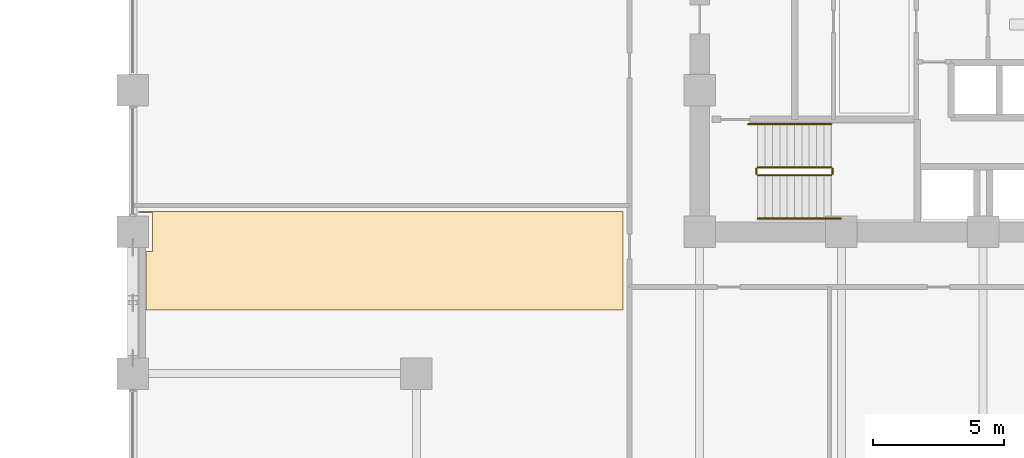
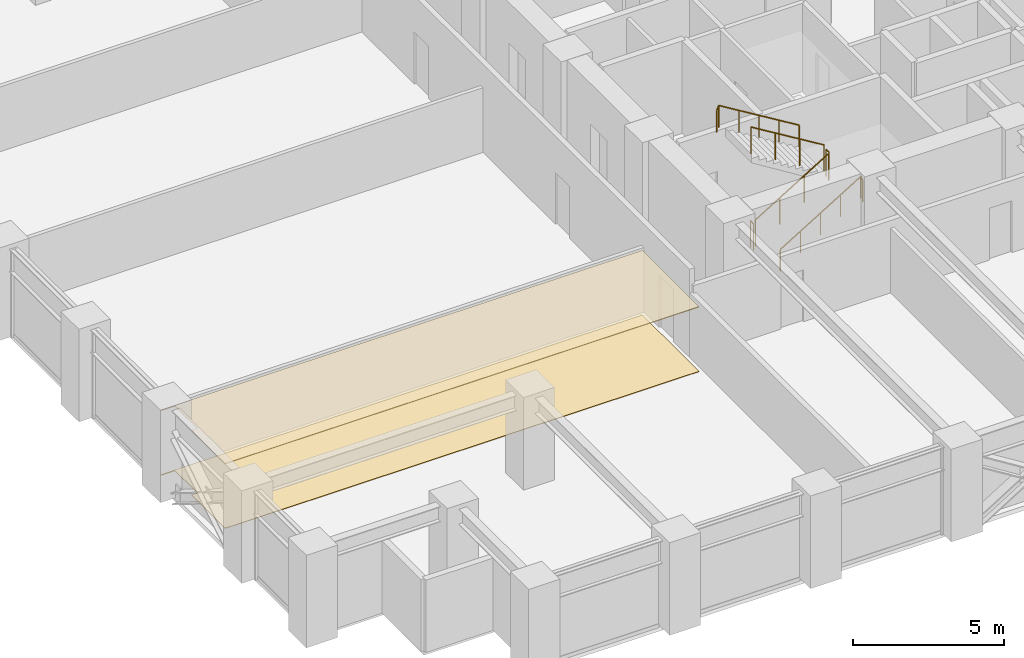
# One storey, part 24 of 26: 6 railings, 2 coverings.
"""IFC4 building model written with IfcOpenShell, lengths in metres."""

from ifc_helpers import new_model, si_unit, direction, frame, origin, origin_2d, place, context, subcontext, project, spatial, polyline, circle, outline, extrude, material, layer, layer_set, type_object, element, save


model = new_model("IFC4")

# Units and contexts
model_context = context("Model", 3, precision=1e-05, world=origin(), true_north=direction((0.0, 1.0)))
body_context = subcontext(model_context, "Body", "Model", "MODEL_VIEW")
ifc_project = project(units=[si_unit("LENGTHUNIT", "METRE"), si_unit("AREAUNIT", "SQUARE_METRE"), si_unit("VOLUMEUNIT", "CUBIC_METRE"), si_unit("PLANEANGLEUNIT", "RADIAN"), si_unit("MASSUNIT", "GRAM", prefix="KILO")], contexts=[model_context])

# Site, building, storey
site_placement = place(None, origin())
site = spatial("IfcSite", under=ifc_project, at=site_placement, CompositionType="ELEMENT")
building_placement = place(site_placement, origin())
building = spatial("IfcBuilding", under=site, at=building_placement, Name="Surkhivell Harbour Commons", CompositionType="ELEMENT")
storey_placement = place(building_placement, frame((0.0, 0.0, 71.25)))
storey = spatial("IfcBuildingStorey", under=building, at=storey_placement, Name="L18", CompositionType="ELEMENT", Elevation=71.25)

# Coverings
ifc_material_1 = material(Name="Moisture-resistant gypsum acoustic ceiling board", Category="other")
ifc_layer_1 = layer(ifc_material_1, 0.030029296875)
ifc_layer_set_1 = layer_set([ifc_layer_1], Name="Moisture-resistant gypsum acoustic ceiling board")
covering_type_1 = type_object("IfcCoveringType", Name="COV-CEIL-GYP", PredefinedType="CEILING", material=ifc_layer_set_1)
covering_1_placement = place(storey_placement, frame((0.0, 0.0, 2.613037109375)))
element("IfcCovering", 1, at=covering_1_placement, inside=storey, type_object=covering_type_1, Name="L18 Suspended Acoustic Ceiling 2", PredefinedType="CEILING", context=body_context, shape_type="SweptSolid", body=[
    extrude(outline(polyline([(-13.719970703125, -13.780029296875), (-13.719970703125, -10.014892578125), (-32.18994140625, -10.014892578125), (-32.18994140625, -10.06005859375), (-31.659912109375, -10.06005859375), (-31.659912109375, -11.5400390625), (-31.889892578125, -11.5400390625), (-31.889892578125, -13.780029296875), (-13.719970703125, -13.780029296875)])), origin(), (0.0, 0.0, 1.0), 0.030029296875),
])
ifc_material_2 = material(Name="Engineered acoustic oak timber flooring", Category="wood")
ifc_layer_2 = layer(ifc_material_2, 0.02001953125)
ifc_layer_set_2 = layer_set([ifc_layer_2], Name="Engineered acoustic oak timber flooring")
covering_type_2 = type_object("IfcCoveringType", Name="COV-FLR-TIM", PredefinedType="FLOORING", material=ifc_layer_set_2)
covering_2_placement = place(storey_placement, origin())
element("IfcCovering", 2, at=covering_2_placement, inside=storey, type_object=covering_type_2, Name="L18 Interior Floor Finish 2", PredefinedType="FLOORING", context=body_context, shape_type="SweptSolid", body=[
    extrude(outline(polyline([(-13.719970703125, -13.780029296875), (-13.719970703125, -10.014892578125), (-32.18994140625, -10.014892578125), (-32.18994140625, -10.06005859375), (-31.659912109375, -10.06005859375), (-31.659912109375, -11.5400390625), (-31.889892578125, -11.5400390625), (-31.889892578125, -13.780029296875), (-13.719970703125, -13.780029296875)])), origin(), (0.0, 0.0, 1.0), 0.02001953125),
])

# Railings
ifc_material_3 = material(Name="Galvanised and painted steel S355 guard rail", Category="steel")
railing_type_1 = type_object("IfcRailingType", Name="RAL-ST-GRD1100", PredefinedType="GUARDRAIL", material=ifc_material_3)
railing_1_placement = place(storey_placement, frame((-8.590087890625, -8.639892578125, 0.17041015625)))
element("IfcRailing", 3, at=railing_1_placement, inside=storey, type_object=railing_type_1, Name="L18 ST3 stair guard 1", PredefinedType="GUARDRAIL", context=body_context, shape_type="SweptSolid", body=[
    extrude(circle(Radius=0.02392578125, at=origin_2d()), frame((0.0, 0.0, 1.076171875), z_axis=(0.854169791009, 0.0, 0.51999420009), x_axis=(0.0, 1.0, 0.0)), (0.0, 0.0, 1.0), 3.278076171875),
    extrude(circle(Radius=0.02099609375, at=origin_2d()), origin(), (0.0, 0.0, 1.0), 1.052001953125),
    extrude(circle(Radius=0.02099609375, at=origin_2d()), frame((0.933349609375, 0.0, 0.568115234375)), (0.0, 0.0, 1.0), 1.052001953125),
    extrude(circle(Radius=0.02099609375, at=origin_2d()), frame((1.86669921875, 0.0, 1.136474609375)), (0.0, 0.0, 1.0), 1.052001953125),
    extrude(circle(Radius=0.02099609375, at=origin_2d()), frame((2.800048828125, 0.0, 1.70458984375)), (0.0, 0.0, 1.0), 1.052001953125),
])
railing_2_placement = place(storey_placement, frame((-5.739990234375, -8.590087890625, 1.875)))
element("IfcRailing", 4, at=railing_2_placement, inside=storey, type_object=railing_type_1, Name="L18 ST3 stair guard 2", PredefinedType="GUARDRAIL", context=body_context, shape_type="SweptSolid", body=[
    extrude(circle(Radius=0.02392578125, at=origin_2d()), frame((0.0, 0.0, 1.076171875), z_axis=(0.0, 1.0, 0.0), x_axis=(-1.0, 0.0, 0.0)), (0.0, 0.0, 1.0), 0.2001953125),
    extrude(circle(Radius=0.02099609375, at=origin_2d()), origin(), (0.0, 0.0, 1.0), 1.052001953125),
    extrude(circle(Radius=0.02099609375, at=origin_2d()), frame((0.0, 0.2001953125, 0.0)), (0.0, 0.0, 1.0), 1.052001953125),
])
railing_3_placement = place(storey_placement, frame((-5.7900390625, -8.340087890625, 2.04541015625)))
element("IfcRailing", 5, at=railing_3_placement, inside=storey, type_object=railing_type_1, Name="L18 ST3 stair guard 3", PredefinedType="GUARDRAIL", context=body_context, shape_type="SweptSolid", body=[
    extrude(circle(Radius=0.02392578125, at=origin_2d()), frame((0.0, 0.0, 1.076171875), z_axis=(-0.854169791009, 0.0, 0.51999420009), x_axis=(0.0, -1.0, 0.0)), (0.0, 0.0, 1.0), 3.278076171875),
    extrude(circle(Radius=0.02099609375, at=origin_2d()), origin(), (0.0, 0.0, 1.0), 1.052001953125),
    extrude(circle(Radius=0.02099609375, at=origin_2d()), frame((-0.933349609375, 0.0, 0.568115234375)), (0.0, 0.0, 1.0), 1.052001953125),
    extrude(circle(Radius=0.02099609375, at=origin_2d()), frame((-1.86669921875, 0.0, 1.136474609375)), (0.0, 0.0, 1.0), 1.052001953125),
    extrude(circle(Radius=0.02099609375, at=origin_2d()), frame((-2.800048828125, 0.0, 1.70458984375)), (0.0, 0.0, 1.0), 1.052001953125),
])
railing_4_placement = place(storey_placement, frame((-8.639892578125, -8.590087890625, 0.0)))
element("IfcRailing", 6, at=railing_4_placement, inside=storey, type_object=railing_type_1, Name="L18 ST3 stair guard 4", PredefinedType="GUARDRAIL", context=body_context, shape_type="SweptSolid", body=[
    extrude(circle(Radius=0.02392578125, at=origin_2d()), frame((0.0, 0.0, 1.076171875), z_axis=(0.0, 1.0, 0.0), x_axis=(-1.0, 0.0, 0.0)), (0.0, 0.0, 1.0), 0.2001953125),
    extrude(circle(Radius=0.02099609375, at=origin_2d()), origin(), (0.0, 0.0, 1.0), 1.052001953125),
    extrude(circle(Radius=0.02099609375, at=origin_2d()), frame((0.0, 0.2001953125, 0.0)), (0.0, 0.0, 1.0), 1.052001953125),
])
ifc_material_4 = material(Name="Brushed stainless steel S355 handrail", Category="steel")
railing_type_2 = type_object("IfcRailingType", Name="RAL-ST-HND900", PredefinedType="HANDRAIL", material=ifc_material_4)
railing_5_placement = place(storey_placement, frame((-8.590087890625, -10.2900390625, 0.17041015625)))
element("IfcRailing", 7, at=railing_5_placement, inside=storey, type_object=railing_type_2, Name="L18 ST3 stair handrail 1", PredefinedType="HANDRAIL", context=body_context, shape_type="SweptSolid", body=[
    extrude(circle(Radius=0.02392578125, at=origin_2d()), frame((0.0, 0.0, 0.8759765625), z_axis=(0.854177636135, 0.0, 0.519981313056), x_axis=(0.0, 1.0, 0.0)), (0.0, 0.0, 1.0), 3.60595703125),
    extrude(circle(Radius=0.02392578125, at=origin_2d()), frame((3.080078125, 0.0, 2.7509765625), z_axis=(0.425297416671, 0.0, -0.905053648892), x_axis=(0.0, 1.0, 0.0)), (0.0, 0.0, 1.0), 0.188232421875),
    extrude(circle(Radius=0.02099609375, at=origin_2d()), origin(), (0.0, 0.0, 1.0), 0.851806640625),
    extrude(circle(Radius=0.02099609375, at=origin_2d()), frame((0.77001953125, 0.0, 0.46875)), (0.0, 0.0, 1.0), 0.851806640625),
    extrude(circle(Radius=0.02099609375, at=origin_2d()), frame((1.5400390625, 0.0, 0.9375)), (0.0, 0.0, 1.0), 0.851806640625),
    extrude(circle(Radius=0.02099609375, at=origin_2d()), frame((2.31005859375, 0.0, 1.40625)), (0.0, 0.0, 1.0), 0.851806640625),
    extrude(circle(Radius=0.02099609375, at=origin_2d()), frame((3.080078125, 0.0, 1.875)), (0.0, 0.0, 1.0), 0.851806640625),
    extrude(circle(Radius=0.02099609375, at=origin_2d()), frame((3.16015625, 0.0, 1.70458984375)), (0.0, 0.0, 1.0), 0.851806640625),
])
railing_6_placement = place(storey_placement, frame((-5.7900390625, -6.68994140625, 2.04541015625)))
element("IfcRailing", 8, at=railing_6_placement, inside=storey, type_object=railing_type_2, Name="L18 ST3 stair handrail 2", PredefinedType="HANDRAIL", context=body_context, shape_type="SweptSolid", body=[
    extrude(circle(Radius=0.02392578125, at=origin_2d()), frame((0.0, 0.0, 0.8759765625), z_axis=(-0.854177636135, 0.0, 0.519981313056), x_axis=(0.0, -1.0, 0.0)), (0.0, 0.0, 1.0), 3.60595703125),
    extrude(circle(Radius=0.02392578125, at=origin_2d()), frame((-3.080078125, 0.0, 2.7509765625), z_axis=(-0.424234432967, 0.0, -0.905552398199), x_axis=(0.0, -1.0, 0.0)), (0.0, 0.0, 1.0), 0.188232421875),
    extrude(circle(Radius=0.02099609375, at=origin_2d()), origin(), (0.0, 0.0, 1.0), 0.851806640625),
    extrude(circle(Radius=0.02099609375, at=origin_2d()), frame((-0.77001953125, 0.0, 0.46875)), (0.0, 0.0, 1.0), 0.851806640625),
    extrude(circle(Radius=0.02099609375, at=origin_2d()), frame((-1.5400390625, 0.0, 0.9375)), (0.0, 0.0, 1.0), 0.851806640625),
    extrude(circle(Radius=0.02099609375, at=origin_2d()), frame((-2.31005859375, 0.0, 1.40625)), (0.0, 0.0, 1.0), 0.851806640625),
    extrude(circle(Radius=0.02099609375, at=origin_2d()), frame((-3.080078125, 0.0, 1.875)), (0.0, 0.0, 1.0), 0.851806640625),
    extrude(circle(Radius=0.02099609375, at=origin_2d()), frame((-3.159912109375, 0.0, 1.70458984375)), (0.0, 0.0, 1.0), 0.851806640625),
])

save(model, "model.ifc")
